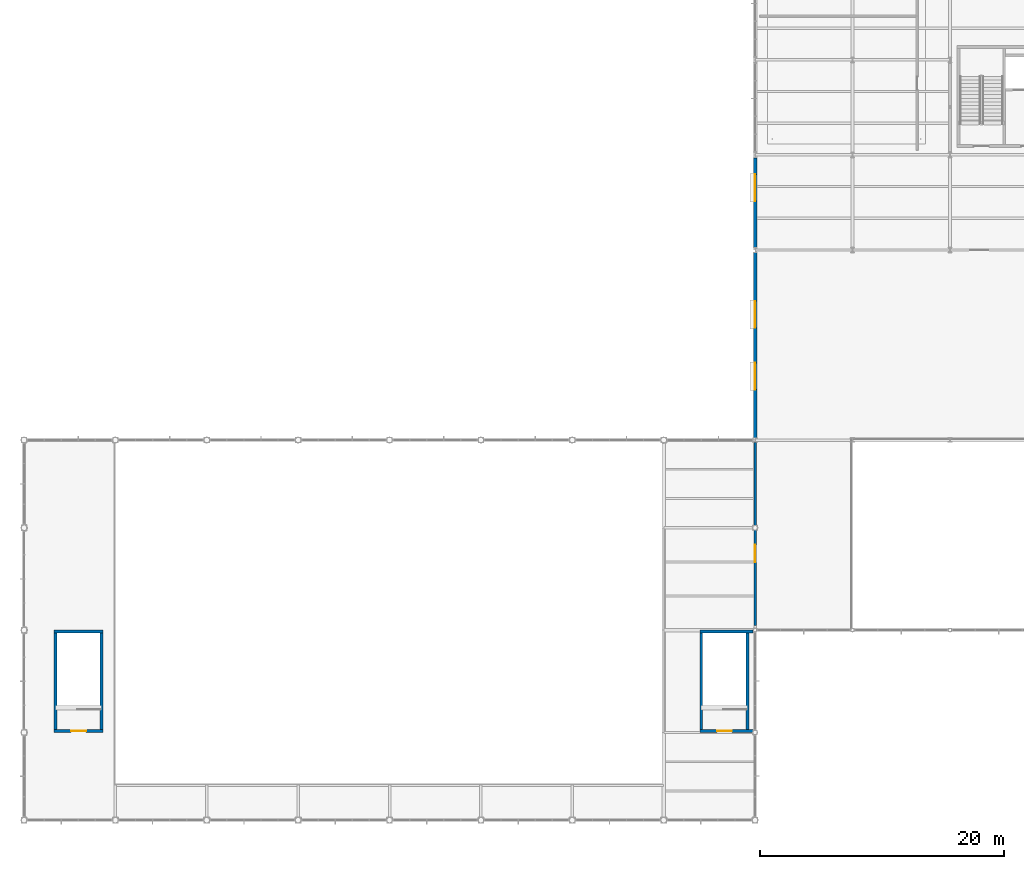
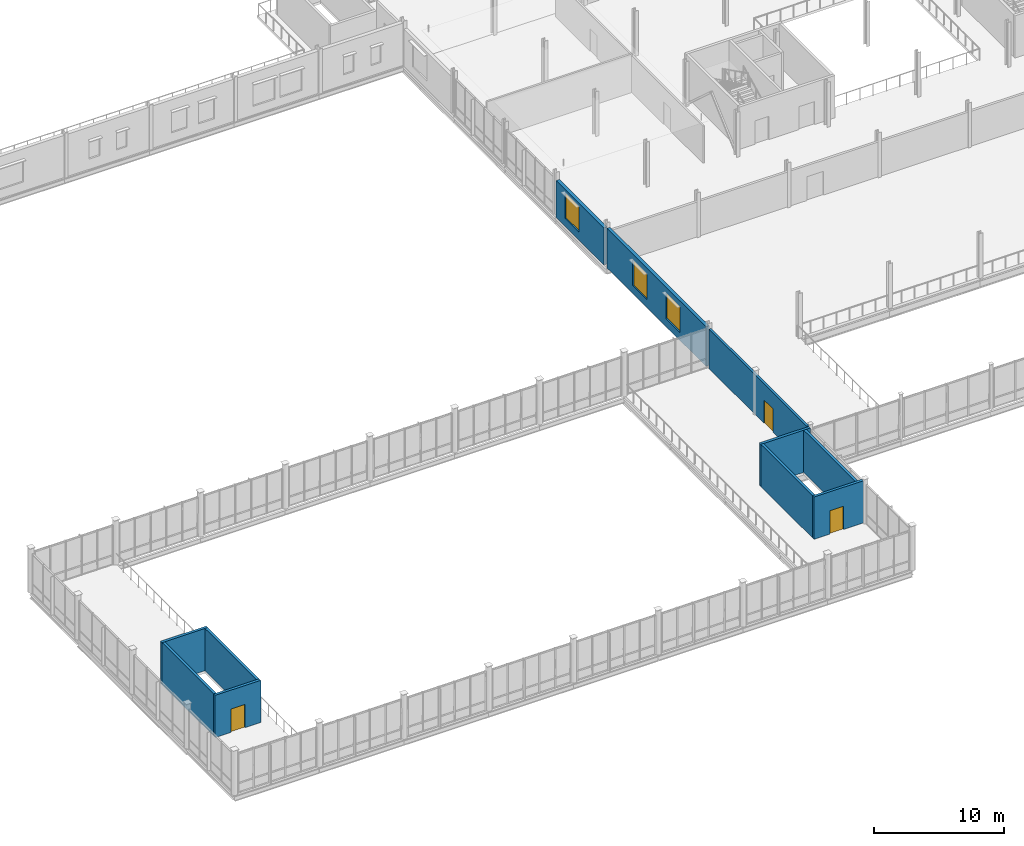
# One storey, part 60 of 75: 11 walls, 3 doors, 3 windows, 6 openings.
"""IFC4 building model written with IfcOpenShell, lengths in metres."""

import ifcopenshell
import ifcopenshell.guid

model = None  # the IFC model being written
_history = None  # IfcOwnerHistory: only IFC2X3 demands one
_inside = {}  # id of a spatial element -> (the spatial element, [elements in it])
_under = {}  # id of a project, library or spatial element -> (it, [spatial elements below it])
_declared = {}  # id of a project -> (the project, [libraries it declares])
_typed = {}  # id of a type object -> (the type object, [elements of that type])
_made_of = {}  # id of a material, layer set ... -> (it, [elements and type objects made of it])


def new_model(schema):
    """Start an empty IFC model of exactly this schema.

    Asked for "IFC4X3", IfcOpenShell would pick the latest addendum, in which some entities
    have other attributes; the version numbers below select the first issue.
    IFC2X3 requires an IfcOwnerHistory on every rooted entity: one is made here for all.
    """
    global model, _history
    if schema == "IFC4X3":
        model = ifcopenshell.file(schema_version=(4, 3, 0, 0))
    else:
        model = ifcopenshell.file(schema=schema)
    _inside.clear()
    _under.clear()
    _declared.clear()
    _typed.clear()
    _made_of.clear()
    _history = None
    if model.schema == "IFC2X3":
        org = make("IfcOrganization", Name="unknown")
        user = make(
            "IfcPersonAndOrganization",
            ThePerson=make("IfcPerson", FamilyName="unknown"),
            TheOrganization=org,
        )
        app = make(
            "IfcApplication",
            ApplicationDeveloper=org,
            Version="unknown",
            ApplicationFullName="unknown",
            ApplicationIdentifier="unknown",
        )
        _history = make(
            "IfcOwnerHistory",
            OwningUser=user,
            OwningApplication=app,
            ChangeAction="ADDED",
            CreationDate=0,
        )
    return model


def make(cls, **values):
    """One entity of the class cls with the attributes given. An attribute that is None is left unset."""
    return model.create_entity(
        cls, **{name: value for name, value in values.items() if value is not None}
    )


def rooted(cls, **values):
    """An entity with a GlobalId (a new one), such as an element, a storey or a relation."""
    return make(cls, GlobalId=ifcopenshell.guid.new(), OwnerHistory=_history, **values)


def si_unit(unit_type, name, prefix=None):
    """IfcSIUnit, for example si_unit("LENGTHUNIT", "METRE", prefix="MILLI")."""
    return make("IfcSIUnit", UnitType=unit_type, Prefix=prefix, Name=name)


def assignment(units):
    """IfcUnitAssignment: the units of a project."""
    return None if units is None else make("IfcUnitAssignment", Units=units)


def point(xyz):
    """IfcCartesianPoint."""
    return None if xyz is None else make("IfcCartesianPoint", Coordinates=xyz)


def direction(xyz):
    """IfcDirection."""
    return None if xyz is None else make("IfcDirection", DirectionRatios=xyz)


def frame(location, z_axis=None, x_axis=None):
    """IfcAxis2Placement3D, a coordinate frame: its origin and axes. An axis left out is left unset."""
    return make(
        "IfcAxis2Placement3D",
        Location=point(location),
        Axis=direction(z_axis),
        RefDirection=direction(x_axis),
    )


def frame_2d(location, x_axis=None):
    """IfcAxis2Placement2D, a coordinate frame in the plane: its origin and x axis."""
    return make(
        "IfcAxis2Placement2D", Location=point(location), RefDirection=direction(x_axis)
    )


def origin():
    """The frame at (0, 0, 0) with its axes left unset."""
    return frame((0.0, 0.0, 0.0))


def place(relative_to, where):
    """IfcLocalPlacement: puts the frame where relative to a parent placement (None: the world)."""
    return make(
        "IfcLocalPlacement", PlacementRelTo=relative_to, RelativePlacement=where
    )


def context(
    kind, dimensions, precision=None, world=None, true_north=None, identifier=None
):
    """IfcGeometricRepresentationContext, for example the 3D "Model" context."""
    return make(
        "IfcGeometricRepresentationContext",
        ContextIdentifier=identifier,
        ContextType=kind,
        CoordinateSpaceDimension=dimensions,
        Precision=precision,
        WorldCoordinateSystem=world,
        TrueNorth=true_north,
    )


def subcontext(parent, identifier, kind, view, scale=None):
    """IfcGeometricRepresentationSubContext, for example "Body" below "Model"."""
    return make(
        "IfcGeometricRepresentationSubContext",
        ContextIdentifier=identifier,
        ContextType=kind,
        ParentContext=parent,
        TargetScale=scale,
        TargetView=view,
    )


def project(units=None, contexts=None):
    """IfcProject with its units and contexts."""
    return rooted(
        "IfcProject",
        Name="project",
        RepresentationContexts=contexts,
        UnitsInContext=assignment(units),
    )


def spatial(cls, under=None, at=None, **own):
    """A site, building, storey or space (cls), placed at a placement, below another one or the project."""
    s = rooted(cls, ObjectPlacement=at, **own)
    if under is not None:
        _under.setdefault(under.id(), (under, []))[1].append(s)
    return s


def profile(cls, at=None, kind="AREA", **sizes):
    """A parametric profile (cls). Its sizes go by their IFC names, for example OverallWidth=200.0."""
    return make(cls, ProfileType=kind, Position=at, **sizes)


def rectangle(**sizes):
    """IfcRectangleProfileDef."""
    return profile("IfcRectangleProfileDef", **sizes)


def extrude(swept, where, along, depth):
    """IfcExtrudedAreaSolid: the profile swept, set in the frame where, extruded along a direction by depth."""
    return make(
        "IfcExtrudedAreaSolid",
        SweptArea=swept,
        Position=where,
        ExtrudedDirection=direction(along),
        Depth=depth,
    )


def shape(context_of_items, identifier, shape_type, items):
    """IfcShapeRepresentation: the items that make up one representation, for example the "Body"."""
    return make(
        "IfcShapeRepresentation",
        ContextOfItems=context_of_items,
        RepresentationIdentifier=identifier,
        RepresentationType=shape_type,
        Items=items,
    )


def material(Name=None, Category=None):
    """IfcMaterial."""
    return make("IfcMaterial", Name=Name, Category=Category)


def layer(
    of_material, thickness, ventilated=None, Name=None, Category=None, Priority=None
):
    """IfcMaterialLayer: one layer of a wall or slab, of a material (None: an air gap)."""
    return make(
        "IfcMaterialLayer",
        Material=of_material,
        LayerThickness=thickness,
        IsVentilated=ventilated,
        Name=Name,
        Category=Category,
        Priority=Priority,
    )


def layer_set(layers, Name=None):
    """IfcMaterialLayerSet."""
    return make("IfcMaterialLayerSet", MaterialLayers=layers, LayerSetName=Name)


def made_of(thing, what):
    """Note that an element or type object is made of a material, layer set ...; save() writes the relation."""
    if what is not None:
        _made_of.setdefault(what.id(), (what, []))[1].append(thing)
    return thing


def type_object(cls, material=None, **own):
    """A type object (cls), such as IfcWallType, which elements share."""
    return made_of(rooted(cls, **own), material)


def element(
    cls,
    number,
    at=None,
    inside=None,
    cuts=None,
    type_object=None,
    material=None,
    context=None,
    identifier="Body",
    shape_type=None,
    held_by="IfcProductDefinitionShape",
    body=None,
    shapes=None,
    **own,
):
    """One element of the class cls, such as IfcWall. Its Tag is "e" and its number.

    at: its placement. inside: the storey or other place that contains it. cuts: it is an
    opening in that element (IfcRelVoidsElement). A single representation is given by context,
    identifier, shape_type and body (its items); several are given by shapes. held_by: the class
    of the entity that holds the representations. save() writes the other relations.
    """
    e = rooted(cls, Tag="e%d" % number, ObjectPlacement=at, **own)
    if body is not None:
        shapes = [shape(context, identifier, shape_type, body)]
    if shapes is not None:
        e.Representation = make(held_by, Representations=shapes)
    if inside is not None:
        _inside.setdefault(inside.id(), (inside, []))[1].append(e)
    if cuts is not None:
        rooted(
            "IfcRelVoidsElement", RelatingBuildingElement=cuts, RelatedOpeningElement=e
        )
    if type_object is not None:
        _typed.setdefault(type_object.id(), (type_object, []))[1].append(e)
    return made_of(e, material)


def fill(opening, filler):
    """IfcRelFillsElement: the door or window that sits in an opening."""
    return rooted(
        "IfcRelFillsElement",
        RelatingOpeningElement=opening,
        RelatedBuildingElement=filler,
    )


def aggregate(whole, parts):
    """IfcRelAggregates: a whole, such as a stair, and the parts it consists of."""
    return rooted("IfcRelAggregates", RelatingObject=whole, RelatedObjects=parts)


def save(model, path):
    """Write the relations noted so far, then the file.

    IfcRelAggregates (storeys below a building ...), IfcRelContainedInSpatialStructure (elements
    in a storey), IfcRelDefinesByType, IfcRelAssociatesMaterial and IfcRelDeclares: one each for
    every whole, place, type object, material and project.
    """
    for whole, parts in _under.values():
        aggregate(whole, parts)
    for where, things in _inside.values():
        rooted(
            "IfcRelContainedInSpatialStructure",
            RelatedElements=things,
            RelatingStructure=where,
        )
    for kind, things in _typed.values():
        rooted("IfcRelDefinesByType", RelatedObjects=things, RelatingType=kind)
    for what, things in _made_of.values():
        rooted("IfcRelAssociatesMaterial", RelatedObjects=things, RelatingMaterial=what)
    for by, libraries in _declared.values():
        rooted("IfcRelDeclares", RelatingContext=by, RelatedDefinitions=libraries)
    model.write(path)


model = new_model("IFC4")

# Units and contexts
model_context = context("Model", 3, precision=1e-05, world=origin(), true_north=direction((0.0, 1.0)))
body_context = subcontext(model_context, "Body", "Model", "MODEL_VIEW")
ifc_project = project(units=[si_unit("LENGTHUNIT", "METRE"), si_unit("AREAUNIT", "SQUARE_METRE"), si_unit("VOLUMEUNIT", "CUBIC_METRE"), si_unit("PLANEANGLEUNIT", "RADIAN"), si_unit("MASSUNIT", "GRAM", prefix="KILO")], contexts=[model_context])

# Site, building, storey
site_placement = place(None, origin())
site = spatial("IfcSite", under=ifc_project, at=site_placement, CompositionType="ELEMENT")
building_placement = place(site_placement, origin())
building = spatial("IfcBuilding", under=site, at=building_placement, Name="Yukiwa Park Conservatory and Herbarium", CompositionType="ELEMENT")
storey_placement = place(building_placement, frame((0.0, 0.0, 4.800048828125)))
storey = spatial("IfcBuildingStorey", under=building, at=storey_placement, Name="L01", CompositionType="ELEMENT", Elevation=4.800048828125)

# Wall, opening, door
ifc_material_1 = material(Name="Concrete C50", Category="concrete")
ifc_layer_1 = layer(ifc_material_1, 0.239990234375)
ifc_layer_set_1 = layer_set([ifc_layer_1], Name="Concrete C50")
wall_type_1 = type_object("IfcWallType", Name="WL-CORE-RC240", PredefinedType="SHEAR", material=ifc_layer_set_1)
wall_1_placement = place(storey_placement, frame((2.4599609375, 7.330078125, 0.0), z_axis=(0.0, 0.0, 1.0), x_axis=(1.0, 0.0, 0.0)))
wall_1 = element("IfcWall", 1, at=wall_1_placement, inside=storey, type_object=wall_type_1, Name="L01 core shear wall 199", PredefinedType="SHEAR", context=body_context, shape_type="SweptSolid", body=[
    extrude(rectangle(XDim=4.030029296875, YDim=0.239990234375, at=frame_2d((2.01513671875, 0.0))), origin(), (0.0, 0.0, 1.0), 3.954833984375),
])
opening_1_placement = place(wall_1_placement, frame((1.4150390625, 0.0, 0.0)))
opening_1 = element("IfcOpeningElement", 2, at=opening_1_placement, cuts=wall_1, Name="Opening SD-01", PredefinedType="OPENING", context=body_context, shape_type="SweptSolid", body=[
    extrude(rectangle(XDim=1.219970703125, YDim=2.179931640625, at=frame_2d((0.60986328125, 1.08984375))), frame((0.0, 0.1298828125, 0.0), z_axis=(0.0, -1.0, 0.0), x_axis=(1.0, 0.0, 0.0)), (0.0, 0.0, 1.0), 0.260009765625),
])
ifc_material_2 = material(Name="Steel Q235B", Category="steel")
door_type_1 = type_object("IfcDoorType", Name="DR-STAIR-FD90-1200", OperationType="SINGLE_SWING_LEFT", PredefinedType="DOOR", material=ifc_material_2)
door_1_placement = place(opening_1_placement, origin())
door_1 = element("IfcDoor", 3, at=door_1_placement, inside=storey, type_object=door_type_1, Name="L01 Stairwell ST-C1 fire door", OperationType="SINGLE_SWING_LEFT", OverallHeight=2.179931640625, OverallWidth=1.219970703125, PredefinedType="DOOR", context=body_context, shape_type="SweptSolid", body=[
    extrude(rectangle(XDim=1.219970703125, YDim=2.179931640625, at=frame_2d((0.60986328125, 1.08984375))), frame((0.0, 0.02490234375, 0.0), z_axis=(0.0, -1.0, 0.0), x_axis=(1.0, 0.0, 0.0)), (0.0, 0.0, 1.0), 0.050048828125),
])
fill(opening_1, door_1)

# Walls
wall_2_placement = place(storey_placement, frame((2.4599609375, 15.469970703125, 0.0), z_axis=(0.0, 0.0, 1.0), x_axis=(1.0, 0.0, 0.0)))
element("IfcWall", 4, at=wall_2_placement, inside=storey, type_object=wall_type_1, Name="L01 core shear wall 200", PredefinedType="SHEAR", context=body_context, shape_type="SweptSolid", body=[
    extrude(rectangle(XDim=4.030029296875, YDim=0.239990234375, at=frame_2d((2.01513671875, 0.0))), origin(), (0.0, 0.0, 1.0), 3.954833984375),
])
for number, where, z_axis, x_axis, name in (
    (5, (2.580078125, 7.449951171875, 0.0), (0.0, 0.0, 1.0), (0.0, 1.0, 0.0), "L01 core shear wall 201"),
    (6, (6.3701171875, 7.449951171875, 0.0), (0.0, 0.0, 1.0), (0.0, 1.0, 0.0), "L01 core shear wall 202"),
):
    element("IfcWall", number, at=place(storey_placement, frame(where, z_axis=z_axis, x_axis=x_axis)), inside=storey, type_object=wall_type_1, Name=name, PredefinedType="SHEAR", context=body_context, shape_type="SweptSolid", body=[
        extrude(rectangle(XDim=7.900146484375, YDim=0.239990234375, at=frame_2d((3.9501953125, 0.0))), origin(), (0.0, 0.0, 1.0), 3.954833984375),
    ])

# Wall, opening, door
wall_3_placement = place(storey_placement, frame((55.4599609375, 7.330078125, 0.0), z_axis=(0.0, 0.0, 1.0), x_axis=(1.0, 0.0, 0.0)))
wall_3 = element("IfcWall", 7, at=wall_3_placement, inside=storey, type_object=wall_type_1, Name="L01 core shear wall 203", PredefinedType="SHEAR", context=body_context, shape_type="SweptSolid", body=[
    extrude(rectangle(XDim=4.380126953125, YDim=0.239990234375, at=frame_2d((2.18994140625, 0.0))), origin(), (0.0, 0.0, 1.0), 3.954833984375),
])
opening_2_placement = place(wall_3_placement, frame((1.4150390625, 0.0, 0.0)))
opening_2 = element("IfcOpeningElement", 8, at=opening_2_placement, cuts=wall_3, Name="Opening SD-01", PredefinedType="OPENING", context=body_context, shape_type="SweptSolid", body=[
    extrude(rectangle(XDim=1.219970703125, YDim=2.179931640625, at=frame_2d((0.60986328125, 1.08984375))), frame((0.0, 0.1298828125, 0.0), z_axis=(0.0, -1.0, 0.0), x_axis=(1.0, 0.0, 0.0)), (0.0, 0.0, 1.0), 0.260009765625),
])
door_2_placement = place(opening_2_placement, origin())
door_2 = element("IfcDoor", 9, at=door_2_placement, inside=storey, type_object=door_type_1, Name="L01 Stairwell ST-C2 fire door", OperationType="SINGLE_SWING_LEFT", OverallHeight=2.179931640625, OverallWidth=1.219970703125, PredefinedType="DOOR", context=body_context, shape_type="SweptSolid", body=[
    extrude(rectangle(XDim=1.219970703125, YDim=2.179931640625, at=frame_2d((0.60986328125, 1.08984375))), frame((0.0, 0.02490234375, 0.0), z_axis=(0.0, -1.0, 0.0), x_axis=(1.0, 0.0, 0.0)), (0.0, 0.0, 1.0), 0.050048828125),
])
fill(opening_2, door_2)

# Walls
wall_4_placement = place(storey_placement, frame((55.4599609375, 15.469970703125, 0.0), z_axis=(0.0, 0.0, 1.0), x_axis=(1.0, 0.0, 0.0)))
element("IfcWall", 10, at=wall_4_placement, inside=storey, type_object=wall_type_1, Name="L01 core shear wall 204", PredefinedType="SHEAR", context=body_context, shape_type="SweptSolid", body=[
    extrude(rectangle(XDim=4.380126953125, YDim=0.239990234375, at=frame_2d((2.18994140625, 0.0))), origin(), (0.0, 0.0, 1.0), 3.954833984375),
])
for number, where, z_axis, x_axis, name in (
    (11, (55.580078125, 7.449951171875, 0.0), (0.0, 0.0, 1.0), (0.0, 1.0, 0.0), "L01 core shear wall 205"),
    (12, (59.3701171875, 7.449951171875, 0.0), (0.0, 0.0, 1.0), (0.0, 1.0, 0.0), "L01 core shear wall 206"),
):
    element("IfcWall", number, at=place(storey_placement, frame(where, z_axis=z_axis, x_axis=x_axis)), inside=storey, type_object=wall_type_1, Name=name, PredefinedType="SHEAR", context=body_context, shape_type="SweptSolid", body=[
        extrude(rectangle(XDim=7.900146484375, YDim=0.239990234375, at=frame_2d((3.9501953125, 0.0))), origin(), (0.0, 0.0, 1.0), 3.954833984375),
    ])

# Wall, opening, window
ifc_material_3 = material(Name="Charred Larch Cladding", Category="wood")
ifc_layer_2 = layer(ifc_material_3, 0.2900390625)
ifc_layer_set_2 = layer_set([ifc_layer_2], Name="Charred Larch Cladding")
wall_type_2 = type_object("IfcWallType", Name="WL-EXT-LARCH-290", PredefinedType="SOLIDWALL", material=ifc_layer_set_2)
wall_5_placement = place(storey_placement, frame((60.0, 54.35595703125, 0.0), z_axis=(0.0, 0.0, 1.0), x_axis=(0.0, -1.0, 0.0)))
wall_5 = element("IfcWall", 13, at=wall_5_placement, inside=storey, type_object=wall_type_2, Name="L01 exterior envelope wall 205", PredefinedType="SOLIDWALL", context=body_context, shape_type="SweptSolid", body=[
    extrude(rectangle(XDim=7.3359375, YDim=0.2900390625, at=frame_2d((3.66796875, 0.0))), origin(), (0.0, 0.0, 1.0), 3.4609375),
])
opening_3_placement = place(wall_5_placement, frame((1.344970703125, 0.0, 0.75)))
opening_3 = element("IfcOpeningElement", 14, at=opening_3_placement, cuts=wall_5, Name="Opening W-13", PredefinedType="OPENING", context=body_context, shape_type="SweptSolid", body=[
    extrude(rectangle(XDim=2.199951171875, YDim=2.39990234375, at=frame_2d((1.10009765625, 1.199951171875))), frame((0.0, 0.155029296875, 0.0), z_axis=(0.0, -1.0, 0.0), x_axis=(1.0, 0.0, 0.0)), (0.0, 0.0, 1.0), 0.31005859375),
])
ifc_material_4 = material(Name="Triple Low-E Insulated Glass", Category="glass")
window_type = type_object("IfcWindowType", Name="WN-VS-2200X2400", PartitioningType="SINGLE_PANEL", PredefinedType="WINDOW", material=ifc_material_4)
window_1_placement = place(opening_3_placement, origin())
window_1 = element("IfcWindow", 15, at=window_1_placement, inside=storey, type_object=window_type, Name="L01 deep-reveal triple-glazed window 116", OverallHeight=2.39990234375, OverallWidth=2.199951171875, PartitioningType="SINGLE_PANEL", PredefinedType="WINDOW", context=body_context, shape_type="SweptSolid", body=[
    extrude(rectangle(XDim=2.199951171875, YDim=2.39990234375, at=frame_2d((1.10009765625, 1.199951171875))), frame((0.0, 0.030029296875, 0.0), z_axis=(0.0, -1.0, 0.0), x_axis=(1.0, 0.0, 0.0)), (0.0, 0.0, 1.0), 0.06005859375),
])
fill(opening_3, window_1)

# Wall, openings, windows
wall_6_placement = place(storey_placement, frame((60.0, 46.580078125, 0.0), z_axis=(0.0, 0.0, 1.0), x_axis=(0.0, -1.0, 0.0)))
wall_6 = element("IfcWall", 16, at=wall_6_placement, inside=storey, type_object=wall_type_2, Name="L01 exterior envelope wall 206", PredefinedType="SOLIDWALL", context=body_context, shape_type="SweptSolid", body=[
    extrude(rectangle(XDim=15.205078125, YDim=0.2900390625, at=frame_2d((7.6025390625, 0.0))), origin(), (0.0, 0.0, 1.0), 3.699951171875),
])
opening_4_placement = place(wall_6_placement, frame((3.968017578125, 0.0, 0.75)))
opening_4 = element("IfcOpeningElement", 17, at=opening_4_placement, cuts=wall_6, Name="Opening W-13", PredefinedType="OPENING", context=body_context, shape_type="SweptSolid", body=[
    extrude(rectangle(XDim=2.199951171875, YDim=2.39990234375, at=frame_2d((1.10009765625, 1.199951171875))), frame((0.0, 0.155029296875, 0.0), z_axis=(0.0, -1.0, 0.0), x_axis=(1.0, 0.0, 0.0)), (0.0, 0.0, 1.0), 0.31005859375),
])
opening_5_placement = place(wall_6_placement, frame((9.037109375, 0.0, 0.75)))
opening_5 = element("IfcOpeningElement", 18, at=opening_5_placement, cuts=wall_6, Name="Opening W-13", PredefinedType="OPENING", context=body_context, shape_type="SweptSolid", body=[
    extrude(rectangle(XDim=2.199951171875, YDim=2.39990234375, at=frame_2d((1.10009765625, 1.199951171875))), frame((0.0, 0.155029296875, 0.0), z_axis=(0.0, -1.0, 0.0), x_axis=(1.0, 0.0, 0.0)), (0.0, 0.0, 1.0), 0.31005859375),
])
window_2_placement = place(opening_4_placement, origin())
window_2 = element("IfcWindow", 19, at=window_2_placement, inside=storey, type_object=window_type, Name="L01 deep-reveal triple-glazed window 117", OverallHeight=2.39990234375, OverallWidth=2.199951171875, PartitioningType="SINGLE_PANEL", PredefinedType="WINDOW", context=body_context, shape_type="SweptSolid", body=[
    extrude(rectangle(XDim=2.199951171875, YDim=2.39990234375, at=frame_2d((1.10009765625, 1.199951171875))), frame((0.0, 0.030029296875, 0.0), z_axis=(0.0, -1.0, 0.0), x_axis=(1.0, 0.0, 0.0)), (0.0, 0.0, 1.0), 0.06005859375),
])
fill(opening_4, window_2)
window_3_placement = place(opening_5_placement, origin())
window_3 = element("IfcWindow", 20, at=window_3_placement, inside=storey, type_object=window_type, Name="L01 deep-reveal triple-glazed window 118", OverallHeight=2.39990234375, OverallWidth=2.199951171875, PartitioningType="SINGLE_PANEL", PredefinedType="WINDOW", context=body_context, shape_type="SweptSolid", body=[
    extrude(rectangle(XDim=2.199951171875, YDim=2.39990234375, at=frame_2d((1.10009765625, 1.199951171875))), frame((0.0, 0.030029296875, 0.0), z_axis=(0.0, -1.0, 0.0), x_axis=(1.0, 0.0, 0.0)), (0.0, 0.0, 1.0), 0.06005859375),
])
fill(opening_5, window_3)

# Wall, opening, door
ifc_material_5 = material(Name="Gypsum Board Partition", Category="gypsum")
ifc_layer_3 = layer(ifc_material_5, 0.199951171875)
ifc_layer_set_3 = layer_set([ifc_layer_3], Name="Gypsum Board Partition")
wall_type_3 = type_object("IfcWallType", Name="WL-PART-FIRE-200", PredefinedType="SOLIDWALL", material=ifc_layer_set_3)
wall_7_placement = place(storey_placement, frame((60.0, 16.0, 0.0), z_axis=(0.0, 0.0, 1.0), x_axis=(0.0, 1.0, 0.0)))
wall_7 = element("IfcWall", 21, at=wall_7_placement, inside=storey, type_object=wall_type_3, Name="L01 interior partition wall 219", PredefinedType="SOLIDWALL", context=body_context, shape_type="SweptSolid", body=[
    extrude(rectangle(XDim=15.0, YDim=0.199951171875, at=frame_2d((7.5, 0.0))), origin(), (0.0, 0.0, 1.0), 3.699951171875),
])
opening_6_placement = place(wall_7_placement, frame((5.16796875, 0.0, 0.0)))
opening_6 = element("IfcOpeningElement", 22, at=opening_6_placement, cuts=wall_7, Name="Opening FD-03", PredefinedType="OPENING", context=body_context, shape_type="SweptSolid", body=[
    extrude(rectangle(XDim=1.419921875, YDim=2.179931640625, at=frame_2d((0.7099609375, 1.08984375))), frame((0.0, 0.10986328125, 0.0), z_axis=(0.0, -1.0, 0.0), x_axis=(1.0, 0.0, 0.0)), (0.0, 0.0, 1.0), 0.219970703125),
])
ifc_material_6 = material(Name="Steel Q235B", Category="steel")
door_type_2 = type_object("IfcDoorType", Name="DR-FIRE-FD90-1400", OperationType="DOUBLE_DOOR_SINGLE_SWING", PredefinedType="DOOR", material=ifc_material_6)
door_3_placement = place(opening_6_placement, origin())
door_3 = element("IfcDoor", 23, at=door_3_placement, inside=storey, type_object=door_type_2, Name="L01 Canopy walk to Concourse bridge fire door", OperationType="DOUBLE_DOOR_SINGLE_SWING", OverallHeight=2.179931640625, OverallWidth=1.419921875, PredefinedType="DOOR", context=body_context, shape_type="SweptSolid", body=[
    extrude(rectangle(XDim=1.419921875, YDim=2.179931640625, at=frame_2d((0.7099609375, 1.08984375))), frame((0.0, 0.02490234375, 0.0), z_axis=(0.0, -1.0, 0.0), x_axis=(1.0, 0.0, 0.0)), (0.0, 0.0, 1.0), 0.050048828125),
])
fill(opening_6, door_3)

save(model, "model.ifc")
